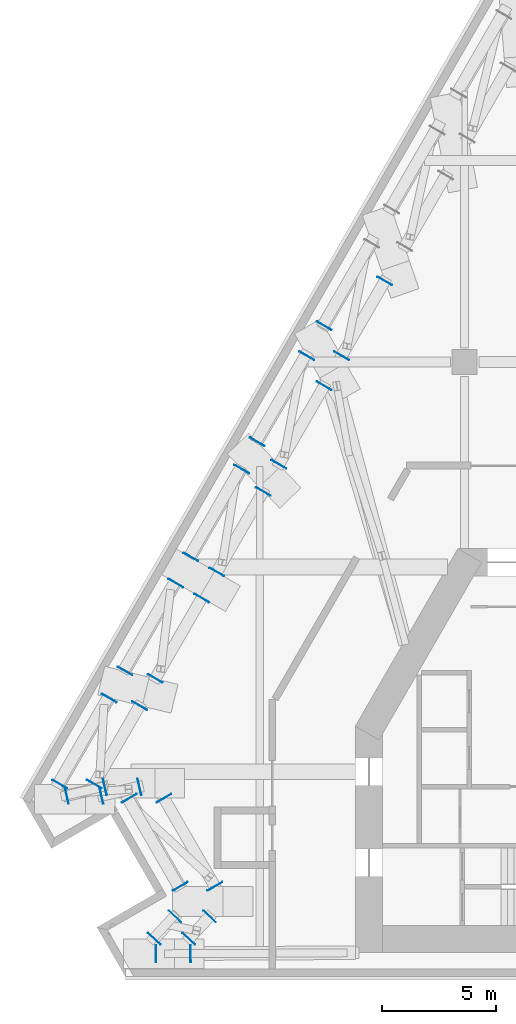
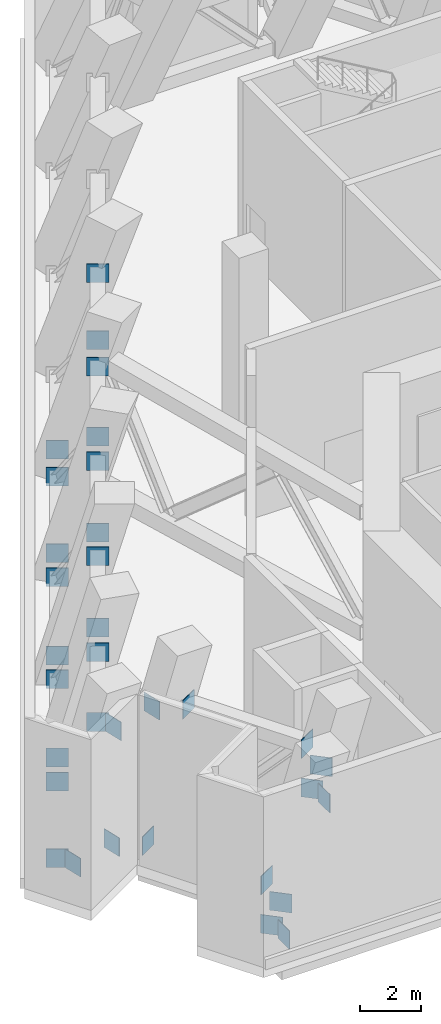
# One storey, part 10 of 13: 33 discrete accessories.
"""IFC4 building model written with IfcOpenShell, lengths in metres."""

from ifc_helpers import new_model, si_unit, direction, frame, origin, origin_2d, place, context, subcontext, project, spatial, rectangle, extrude, material, layer, layer_set, type_object, element, save


model = new_model("IFC4")

# Units and contexts
model_context = context("Model", 3, precision=1e-05, world=origin(), true_north=direction((0.0, 1.0)))
body_context = subcontext(model_context, "Body", "Model", "MODEL_VIEW")
ifc_project = project(units=[si_unit("LENGTHUNIT", "METRE"), si_unit("AREAUNIT", "SQUARE_METRE"), si_unit("VOLUMEUNIT", "CUBIC_METRE"), si_unit("PLANEANGLEUNIT", "RADIAN"), si_unit("MASSUNIT", "GRAM", prefix="KILO")], contexts=[model_context])

# Site, building, storey
site_placement = place(None, origin())
site = spatial("IfcSite", under=ifc_project, at=site_placement, CompositionType="ELEMENT")
building_placement = place(site_placement, origin())
building = spatial("IfcBuilding", under=site, at=building_placement, Name="Fogline Exchange Tower", CompositionType="ELEMENT")
storey_placement = place(building_placement, frame((0.0, 0.0, 174.89990234375)))
storey = spatial("IfcBuildingStorey", under=building, at=storey_placement, Name="L39", CompositionType="ELEMENT", Elevation=174.89990234375)

# Discrete accessories
ifc_material = material(Name="Steel Q355B", Category="steel")
ifc_layer = layer(ifc_material, 0.02490234375)
ifc_layer_set = layer_set([ifc_layer], Name="BE02")
discrete_accessory_type = type_object("IfcDiscreteAccessoryType", Name="BE02", PredefinedType="USERDEFINED", material=ifc_layer_set)
for number, where, z_axis, x_axis, name in (
    (1, (-26.478759765625, 7.952880859375, -0.1201171875), (0.0, 0.0, 1.0), (-0.974742877599, -0.223330075383, 0.0), "Belt truss chord end plate BT1-1-BC"),
    (2, (-24.8046875, 8.33642578125, -0.1201171875), (0.0, 0.0, 1.0), (0.974742877599, 0.223330075383, 0.0), "Belt truss chord end plate BT1-1-BC"),
    (3, (-24.9580078125, 7.952880859375, 4.7802734375), (0.0, 0.0, 1.0), (-0.974742877599, -0.223330075383, 0.0), "Belt truss chord end plate BT1-1-TC"),
    (4, (-23.2841796875, 8.33642578125, 4.7802734375), (0.0, 0.0, 1.0), (0.974742877599, 0.223330075383, 0.0), "Belt truss chord end plate BT1-1-TC"),
    (5, (-23.73046875, 7.83447265625, -0.1201171875), (0.0, 0.0, 1.0), (-0.5, 0.866025403784, 0.0), "Belt truss chord end plate BT2-1-BC"),
    (6, (-21.493408203125, 3.9599609375, -0.1201171875), (0.0, 0.0, 1.0), (0.5, -0.866025403784, 0.0), "Belt truss chord end plate BT2-1-BC"),
    (7, (-22.2099609375, 7.83447265625, 4.7802734375), (0.0, 0.0, 1.0), (-0.5, 0.866025403784, 0.0), "Belt truss chord end plate BT2-1-TC"),
    (8, (-19.972900390625, 3.9599609375, 4.7802734375), (0.0, 0.0, 1.0), (0.5, -0.866025403784, 0.0), "Belt truss chord end plate BT2-1-TC"),
    (9, (-21.724609375, 2.639892578125, -0.1201171875), (0.0, 0.0, 1.0), (0.68078095751, 0.732487056467, 0.0), "Belt truss chord end plate BT3-1-BC"),
    (10, (-22.635986328125, 1.6591796875, -0.1201171875), (0.0, 0.0, 1.0), (-0.68078095751, -0.732487056467, 0.0), "Belt truss chord end plate BT3-1-BC"),
    (11, (-20.2041015625, 2.639892578125, 4.7802734375), (0.0, 0.0, 1.0), (0.68078095751, 0.732487056467, 0.0), "Belt truss chord end plate BT3-1-TC"),
    (12, (-21.115478515625, 1.6591796875, 4.7802734375), (0.0, 0.0, 1.0), (-0.68078095751, -0.732487056467, 0.0), "Belt truss chord end plate BT3-1-TC"),
    (13, (-22.5556640625, 1.0, -0.1201171875), (0.0, 0.0, 1.0), (-0.999983743695, -0.005701959768, 0.0), "Belt truss chord end plate BT4-1-BC"),
    (14, (-21.03515625, 1.0, 4.7802734375), (0.0, 0.0, 1.0), (-0.999976200017, -0.006899231799, 0.0), "Belt truss chord end plate BT4-1-TC"),
    (15, (-15.16552734375, 28.589111328125, -0.1201171875), (0.0, 0.0, 1.0), (-0.5, -0.866025403784, 0.0), "Belt truss chord end plate BT22-1-BC"),
    (16, (-12.5068359375, 30.560302734375, 4.7802734375), (0.0, 0.0, 1.0), (0.5, 0.866025403784, 0.0), "Belt truss chord end plate BT22-1-TC"),
    (17, (-14.4052734375, 27.272216796875, 4.7802734375), (0.0, 0.0, 1.0), (-0.5, -0.866025403784, 0.0), "Belt truss chord end plate BT22-1-TC"),
    (18, (-15.9287109375, 27.267333984375, -0.1201171875), (0.0, 0.0, 1.0), (0.5, 0.866025403784, 0.0), "Belt truss chord end plate BT23-1-BC"),
    (19, (-18.108642578125, 23.491455078125, -0.1201171875), (0.0, 0.0, 1.0), (-0.5, -0.866025403784, 0.0), "Belt truss chord end plate BT23-1-BC"),
    (20, (-15.168212890625, 25.95068359375, 4.7802734375), (0.0, 0.0, 1.0), (0.5, 0.866025403784, 0.0), "Belt truss chord end plate BT23-1-TC"),
    (21, (-17.158203125, 22.50390625, 4.7802734375), (0.0, 0.0, 1.0), (-0.5, -0.866025403784, 0.0), "Belt truss chord end plate BT23-1-TC"),
    (22, (-18.797607421875, 22.298095703125, -0.1201171875), (0.0, 0.0, 1.0), (0.5, 0.866025403784, 0.0), "Belt truss chord end plate BT24-1-BC"),
    (23, (-21.028076171875, 18.43505859375, -0.1201171875), (0.0, 0.0, 1.0), (-0.5, -0.866025403784, 0.0), "Belt truss chord end plate BT24-1-BC"),
    (24, (-17.847412109375, 21.310302734375, 4.7802734375), (0.0, 0.0, 1.0), (0.5, 0.866025403784, 0.0), "Belt truss chord end plate BT24-1-TC"),
    (25, (-19.887451171875, 17.776611328125, 4.7802734375), (0.0, 0.0, 1.0), (-0.5, -0.866025403784, 0.0), "Belt truss chord end plate BT24-1-TC"),
    (26, (-21.6904296875, 17.28759765625, -0.1201171875), (0.0, 0.0, 1.0), (0.5, 0.866025403784, 0.0), "Belt truss chord end plate BT25-1-BC"),
    (27, (-23.9208984375, 13.424560546875, -0.1201171875), (0.0, 0.0, 1.0), (-0.5, -0.866025403784, 0.0), "Belt truss chord end plate BT25-1-BC"),
    (28, (-20.550048828125, 16.629150390625, 4.7802734375), (0.0, 0.0, 1.0), (0.5, 0.866025403784, 0.0), "Belt truss chord end plate BT25-1-TC"),
    (29, (-22.59033203125, 13.09521484375, 4.7802734375), (0.0, 0.0, 1.0), (-0.5, -0.866025403784, 0.0), "Belt truss chord end plate BT25-1-TC"),
    (30, (-24.60986328125, 12.23095703125, -0.1201171875), (0.0, 0.0, 1.0), (0.5, 0.866025403784, 0.0), "Belt truss chord end plate BT26-1-BC"),
    (31, (-26.789794921875, 8.455078125, -0.1201171875), (0.0, 0.0, 1.0), (-0.5, -0.866025403784, 0.0), "Belt truss chord end plate BT26-1-BC"),
    (32, (-23.279296875, 11.90185546875, 4.7802734375), (0.0, 0.0, 1.0), (0.5, 0.866025403784, 0.0), "Belt truss chord end plate BT26-1-TC"),
    (33, (-25.269287109375, 8.455078125, 4.7802734375), (0.0, 0.0, 1.0), (-0.5, -0.866025403784, 0.0), "Belt truss chord end plate BT26-1-TC"),
):
    element("IfcDiscreteAccessory", number, at=place(storey_placement, frame(where, z_axis=z_axis, x_axis=x_axis)), inside=storey, type_object=discrete_accessory_type, Name=name, ObjectType="END PLATE", PredefinedType="USERDEFINED", context=body_context, shape_type="SweptSolid", body=[
        extrude(rectangle(XDim=0.02490234375, YDim=0.739990234375, at=origin_2d()), origin(), (0.0, 0.0, 1.0), 0.739990234375),
    ])

save(model, "model.ifc")
